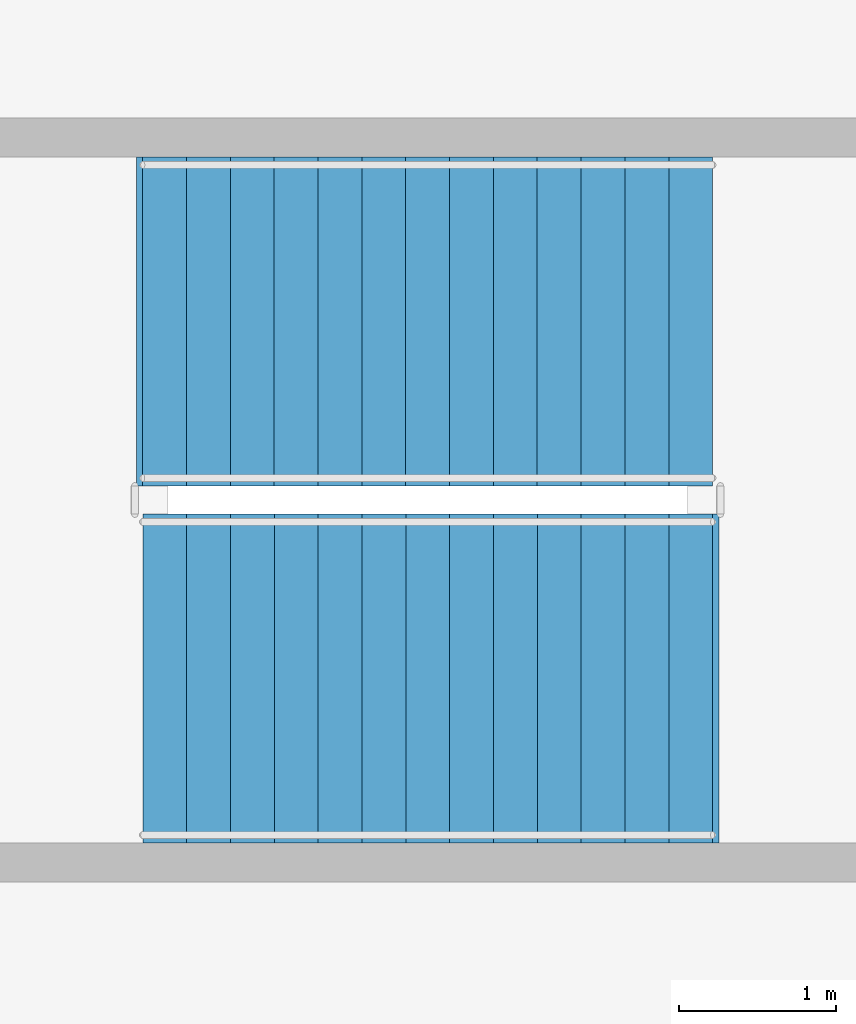
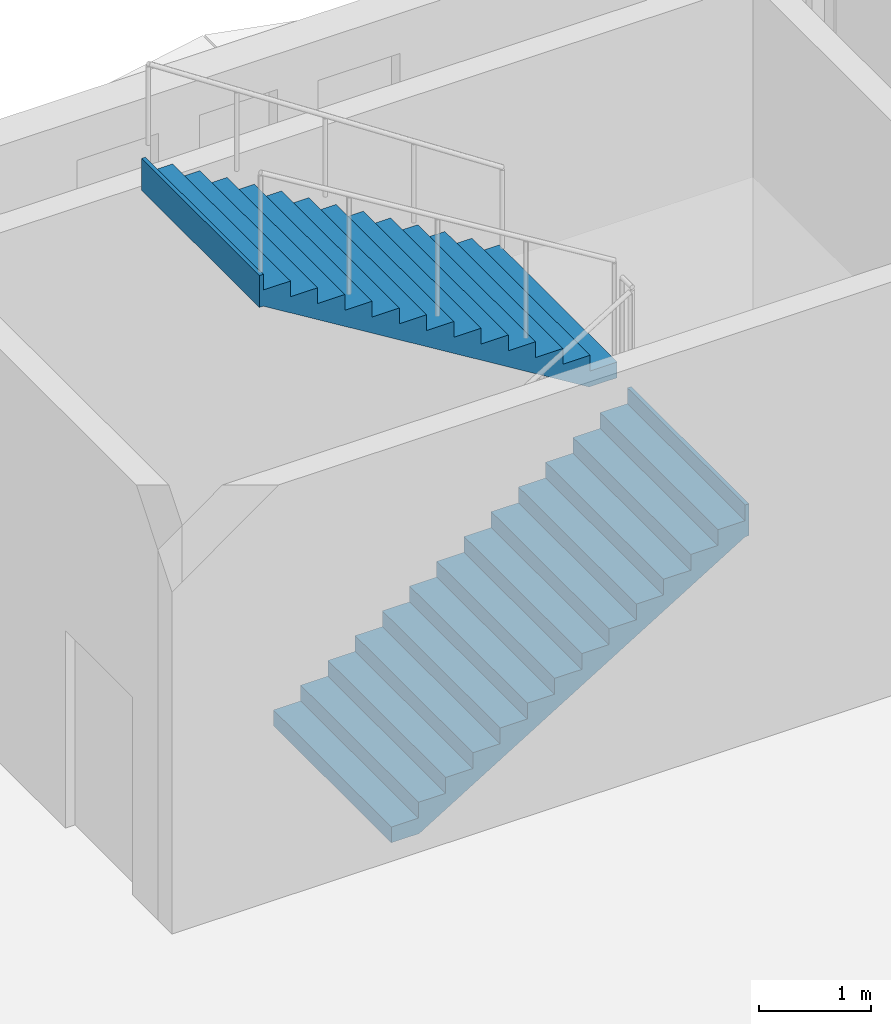
# One storey, part 192 of 220: 2 stair flights, 1 element without a shape of its own.
"""IFC4 building model written with IfcOpenShell, lengths in metres."""

from ifc_helpers import new_model, si_unit, direction, frame, origin, place, context, subcontext, project, spatial, triangles, material, type_object, element, aggregate, save


model = new_model("IFC4")

# Units and contexts
model_context = context("Model", 3, precision=1e-05, world=origin(), true_north=direction((0.0, 1.0)))
body_context = subcontext(model_context, "Body", "Model", "MODEL_VIEW")
ifc_project = project(units=[si_unit("LENGTHUNIT", "METRE"), si_unit("AREAUNIT", "SQUARE_METRE"), si_unit("VOLUMEUNIT", "CUBIC_METRE"), si_unit("PLANEANGLEUNIT", "RADIAN"), si_unit("MASSUNIT", "GRAM", prefix="KILO")], contexts=[model_context])

# Site, building, storey
site_placement = place(None, origin())
site = spatial("IfcSite", under=ifc_project, at=site_placement, CompositionType="ELEMENT")
building_placement = place(site_placement, origin())
building = spatial("IfcBuilding", under=site, at=building_placement, Name="Cendralis Lancet Convention Centre", CompositionType="ELEMENT")
storey_placement = place(building_placement, frame((0.0, 0.0, 5.39990234375)))
storey = spatial("IfcBuildingStorey", under=building, at=storey_placement, Name="L01", CompositionType="ELEMENT", Elevation=5.39990234375)

# Stair, stair flights
ifc_material = material(Name="Concrete G35 (C35/45)", Category="concrete")
stair_type = type_object("IfcStairType", Name="ARC-ST-CORE", PredefinedType="HALF_TURN_STAIR", material=ifc_material)
stair_placement = place(storey_placement, origin())
stair = element("IfcStair", 1, at=stair_placement, inside=storey, type_object=stair_type, Name="L01 Protected Exit Stair ST-06", PredefinedType="HALF_TURN_STAIR")
stair_flight_type = type_object("IfcStairFlightType", Name="ARC-SF-CORE", PredefinedType="STRAIGHT", material=ifc_material)
stair_flight_1_placement = place(storey_placement, frame((200.550048828125, 131.050048828125, 0.0), z_axis=(0.0, 0.0, 1.0), x_axis=(1.0, 0.0, 0.0)))
stair_flight_1 = element("IfcStairFlight", 2, at=stair_flight_1_placement, type_object=stair_flight_type, Name="ST-06 flight 1", NumberOfRisers=14, NumberOfTreads=13, PredefinedType="STRAIGHT", RiserHeight=0.171428571, TreadLength=0.28, context=body_context, shape_type="Tessellation", body=[
    triangles([(0.0, 0.0, 0.085714), (0.0, 1.050049, 0.0), (0.0, -1.050049, 0.0), (0.0, -1.050049, 0.171429), (0.0, 1.050049, 0.171429), (0.14, 0.0, 0.171429), (0.28, -1.050049, 0.171429), (0.28, 1.050049, 0.171429), (0.14, 0.0, 0.0), (0.28, -1.050049, 0.0), (0.28, 1.050049, 0.0), (0.28, 0.0, 0.257143), (0.28, -1.050049, 0.342857), (0.28, 1.050049, 0.342857), (0.283543, 0.0, 0.342857), (0.287085, -1.050049, 0.342857), (0.287085, 1.050049, 0.342857), (0.283543, 0.0, 0.0), (0.287085, -1.050049, 0.0), (0.287085, 1.050049, 0.0), (0.423543, 0.0, 0.342857), (0.56, -1.050049, 0.342857), (0.56, 1.050049, 0.342857), (0.423543, 0.0, 0.083545), (0.56, -1.050049, 0.167091), (0.56, 1.050049, 0.167091), (0.56, 0.0, 0.428572), (0.56, -1.050049, 0.514286), (0.56, 1.050049, 0.514286), (0.7, 0.0, 0.514286), (0.84, -1.050049, 0.514286), (0.84, 1.050049, 0.514286), (0.7, 0.0, 0.252806), (0.84, -1.050049, 0.33852), (0.84, 1.050049, 0.33852), (0.84, 0.0, 0.6), (0.84, -1.050049, 0.685714), (0.84, 1.050049, 0.685714), (0.98, 0.0, 0.685714), (1.12, -1.050049, 0.685714), (1.12, 1.050049, 0.685714), (0.98, 0.0, 0.424234), (1.12, -1.050049, 0.509948), (1.12, 1.050049, 0.509948), (1.12, 0.0, 0.771429), (1.12, -1.050049, 0.857143), (1.12, 1.050049, 0.857143), (1.26, 0.0, 0.857143), (1.4, -1.050049, 0.857143), (1.4, 1.050049, 0.857143), (1.26, 0.0, 0.595662), (1.4, -1.050049, 0.681377), (1.4, 1.050049, 0.681377), (1.4, 0.0, 0.942857), (1.4, -1.050049, 1.028571), (1.4, 1.050049, 1.028571), (1.54, 0.0, 1.028571), (1.68, -1.050049, 1.028571), (1.68, 1.050049, 1.028571), (1.54, 0.0, 0.767091), (1.68, -1.050049, 0.852805), (1.68, 1.050049, 0.852805), (1.68, 0.0, 1.114286), (1.68, -1.050049, 1.2), (1.68, 1.050049, 1.2), (1.82, 0.0, 1.2), (1.96, -1.050049, 1.2), (1.96, 1.050049, 1.2), (1.82, 0.0, 0.938519), (1.96, -1.050049, 1.024234), (1.96, 1.050049, 1.024234), (1.96, 0.0, 1.285715), (1.96, -1.050049, 1.371429), (1.96, 1.050049, 1.371429), (2.1, 0.0, 1.371429), (2.24, -1.050049, 1.371429), (2.24, 1.050049, 1.371429), (2.1, 0.0, 1.109948), (2.24, -1.050049, 1.195662), (2.24, 1.050049, 1.195662), (2.24, 0.0, 1.457143), (2.24, -1.050049, 1.542857), (2.24, 1.050049, 1.542857), (2.38, 0.0, 1.542857), (2.52, -1.050049, 1.542857), (2.52, 1.050049, 1.542857), (2.38, 0.0, 1.281376), (2.52, -1.050049, 1.367091), (2.52, 1.050049, 1.367091), (2.52, 0.0, 1.628572), (2.52, -1.050049, 1.714286), (2.52, 1.050049, 1.714286), (2.66, 0.0, 1.714286), (2.8, -1.050049, 1.714286), (2.8, 1.050049, 1.714286), (2.66, 0.0, 1.452806), (2.8, -1.050049, 1.53852), (2.8, 1.050049, 1.53852), (2.8, 0.0, 1.8), (2.8, -1.050049, 1.885714), (2.8, 1.050049, 1.885714), (2.94, 0.0, 1.885714), (3.08, -1.050049, 1.885714), (3.08, 1.050049, 1.885714), (2.94, 0.0, 1.624234), (3.08, -1.050049, 1.709948), (3.08, 1.050049, 1.709948), (3.08, 0.0, 1.971429), (3.08, -1.050049, 2.057143), (3.08, 1.050049, 2.057143), (3.22, 0.0, 2.057143), (3.36, -1.050049, 2.057143), (3.36, 1.050049, 2.057143), (3.22, 0.0, 1.795663), (3.36, -1.050049, 1.881377), (3.36, 1.050049, 1.881377), (3.36, 0.0, 2.142857), (3.36, -1.050049, 2.228571), (3.36, 1.050049, 2.228571), (3.5, 0.0, 2.228571), (3.64, -1.050049, 2.228571), (3.64, 1.050049, 2.228571), (3.5, 0.0, 1.967091), (3.64, -1.050049, 2.052805), (3.64, 1.050049, 2.052805), (3.64, 0.0, 2.314285), (3.64, -1.050049, 2.4), (3.64, 1.050049, 2.4), (3.66, 0.0, 2.4), (3.68, -1.050049, 2.4), (3.68, 1.050049, 2.4), (3.66, 0.0, 2.052805), (3.68, -1.050049, 2.052805), (3.68, 1.050049, 2.052805), (3.68, 0.0, 2.226403)], [[2, 3, 1], [3, 4, 1], [4, 5, 1], [5, 2, 1], [4, 7, 6], [7, 8, 6], [8, 5, 6], [5, 4, 6], [10, 3, 9], [3, 2, 9], [2, 11, 9], [11, 10, 9], [3, 10, 7], [3, 7, 4], [2, 8, 11], [2, 5, 8], [8, 7, 12], [7, 13, 12], [13, 14, 12], [14, 8, 12], [13, 16, 15], [16, 17, 15], [17, 14, 15], [14, 13, 15], [19, 10, 18], [10, 11, 18], [11, 20, 18], [20, 19, 18], [10, 19, 16], [10, 16, 7], [7, 16, 13], [11, 17, 20], [11, 8, 17], [8, 14, 17], [16, 22, 21], [22, 23, 21], [23, 17, 21], [17, 16, 21], [25, 19, 24], [19, 20, 24], [20, 26, 24], [26, 25, 24], [19, 25, 22], [19, 22, 16], [20, 23, 26], [20, 17, 23], [23, 22, 27], [22, 28, 27], [28, 29, 27], [29, 23, 27], [28, 31, 30], [31, 32, 30], [32, 29, 30], [29, 28, 30], [34, 25, 33], [25, 26, 33], [26, 35, 33], [35, 34, 33], [25, 34, 31], [25, 31, 22], [22, 31, 28], [26, 32, 35], [26, 23, 32], [23, 29, 32], [32, 31, 36], [31, 37, 36], [37, 38, 36], [38, 32, 36], [37, 40, 39], [40, 41, 39], [41, 38, 39], [38, 37, 39], [43, 34, 42], [34, 35, 42], [35, 44, 42], [44, 43, 42], [34, 43, 40], [34, 40, 31], [31, 40, 37], [35, 41, 44], [35, 32, 41], [32, 38, 41], [41, 40, 45], [40, 46, 45], [46, 47, 45], [47, 41, 45], [46, 49, 48], [49, 50, 48], [50, 47, 48], [47, 46, 48], [52, 43, 51], [43, 44, 51], [44, 53, 51], [53, 52, 51], [43, 52, 49], [43, 49, 40], [40, 49, 46], [44, 50, 53], [44, 41, 50], [41, 47, 50], [50, 49, 54], [49, 55, 54], [55, 56, 54], [56, 50, 54], [55, 58, 57], [58, 59, 57], [59, 56, 57], [56, 55, 57], [61, 52, 60], [52, 53, 60], [53, 62, 60], [62, 61, 60], [52, 61, 58], [52, 58, 49], [49, 58, 55], [53, 59, 62], [53, 50, 59], [50, 56, 59], [59, 58, 63], [58, 64, 63], [64, 65, 63], [65, 59, 63], [64, 67, 66], [67, 68, 66], [68, 65, 66], [65, 64, 66], [70, 61, 69], [61, 62, 69], [62, 71, 69], [71, 70, 69], [61, 70, 67], [61, 67, 58], [58, 67, 64], [62, 68, 71], [62, 59, 68], [59, 65, 68], [68, 67, 72], [67, 73, 72], [73, 74, 72], [74, 68, 72], [73, 76, 75], [76, 77, 75], [77, 74, 75], [74, 73, 75], [79, 70, 78], [70, 71, 78], [71, 80, 78], [80, 79, 78], [70, 79, 76], [70, 76, 67], [67, 76, 73], [71, 77, 80], [71, 68, 77], [68, 74, 77], [77, 76, 81], [76, 82, 81], [82, 83, 81], [83, 77, 81], [82, 85, 84], [85, 86, 84], [86, 83, 84], [83, 82, 84], [88, 79, 87], [79, 80, 87], [80, 89, 87], [89, 88, 87], [79, 88, 85], [79, 85, 76], [76, 85, 82], [80, 86, 89], [80, 77, 86], [77, 83, 86], [86, 85, 90], [85, 91, 90], [91, 92, 90], [92, 86, 90], [91, 94, 93], [94, 95, 93], [95, 92, 93], [92, 91, 93], [97, 88, 96], [88, 89, 96], [89, 98, 96], [98, 97, 96], [88, 97, 94], [88, 94, 85], [85, 94, 91], [89, 95, 98], [89, 86, 95], [86, 92, 95], [95, 94, 99], [94, 100, 99], [100, 101, 99], [101, 95, 99], [100, 103, 102], [103, 104, 102], [104, 101, 102], [101, 100, 102], [106, 97, 105], [97, 98, 105], [98, 107, 105], [107, 106, 105], [97, 106, 103], [97, 103, 94], [94, 103, 100], [98, 104, 107], [98, 95, 104], [95, 101, 104], [104, 103, 108], [103, 109, 108], [109, 110, 108], [110, 104, 108], [109, 112, 111], [112, 113, 111], [113, 110, 111], [110, 109, 111], [115, 106, 114], [106, 107, 114], [107, 116, 114], [116, 115, 114], [106, 115, 112], [106, 112, 103], [103, 112, 109], [107, 113, 116], [107, 104, 113], [104, 110, 113], [113, 112, 117], [112, 118, 117], [118, 119, 117], [119, 113, 117], [118, 121, 120], [121, 122, 120], [122, 119, 120], [119, 118, 120], [124, 115, 123], [115, 116, 123], [116, 125, 123], [125, 124, 123], [115, 124, 121], [115, 121, 112], [112, 121, 118], [116, 122, 125], [116, 113, 122], [113, 119, 122], [122, 121, 126], [121, 127, 126], [127, 128, 126], [128, 122, 126], [127, 130, 129], [130, 131, 129], [131, 128, 129], [128, 127, 129], [133, 124, 132], [124, 125, 132], [125, 134, 132], [134, 133, 132], [124, 133, 130], [124, 130, 121], [121, 130, 127], [125, 131, 134], [125, 122, 131], [122, 128, 131], [133, 134, 135], [134, 131, 135], [131, 130, 135], [130, 133, 135]], closed=True),
])
stair_flight_2_placement = place(storey_placement, frame((204.18994140625, 133.330078125, 2.400146484375), z_axis=(0.0, 0.0, 1.0), x_axis=(-1.0, 0.0, 0.0)))
stair_flight_2 = element("IfcStairFlight", 3, at=stair_flight_2_placement, type_object=stair_flight_type, Name="ST-06 flight 2", NumberOfRisers=14, NumberOfTreads=13, PredefinedType="STRAIGHT", RiserHeight=0.171428571, TreadLength=0.28, context=body_context, shape_type="Tessellation", body=[
    triangles([(0.0, 0.0, 0.085714), (0.0, 1.050049, 0.0), (0.0, -1.050049, 0.0), (0.0, -1.050049, 0.171429), (0.0, 1.050049, 0.171429), (0.14, 0.0, 0.171429), (0.28, -1.050049, 0.171429), (0.28, 1.050049, 0.171429), (0.14, 0.0, 0.0), (0.28, -1.050049, 0.0), (0.28, 1.050049, 0.0), (0.28, 0.0, 0.257143), (0.28, -1.050049, 0.342857), (0.28, 1.050049, 0.342857), (0.283543, 0.0, 0.342857), (0.287085, -1.050049, 0.342857), (0.287085, 1.050049, 0.342857), (0.283543, 0.0, 0.0), (0.287085, -1.050049, 0.0), (0.287085, 1.050049, 0.0), (0.423543, 0.0, 0.342857), (0.56, -1.050049, 0.342857), (0.56, 1.050049, 0.342857), (0.423543, 0.0, 0.083545), (0.56, -1.050049, 0.167091), (0.56, 1.050049, 0.167091), (0.56, 0.0, 0.428572), (0.56, -1.050049, 0.514286), (0.56, 1.050049, 0.514286), (0.7, 0.0, 0.514286), (0.84, -1.050049, 0.514286), (0.84, 1.050049, 0.514286), (0.7, 0.0, 0.252806), (0.84, -1.050049, 0.33852), (0.84, 1.050049, 0.33852), (0.84, 0.0, 0.6), (0.84, -1.050049, 0.685714), (0.84, 1.050049, 0.685714), (0.98, 0.0, 0.685714), (1.12, -1.050049, 0.685714), (1.12, 1.050049, 0.685714), (0.98, 0.0, 0.424234), (1.12, -1.050049, 0.509948), (1.12, 1.050049, 0.509948), (1.12, 0.0, 0.771429), (1.12, -1.050049, 0.857143), (1.12, 1.050049, 0.857143), (1.26, 0.0, 0.857143), (1.4, -1.050049, 0.857143), (1.4, 1.050049, 0.857143), (1.26, 0.0, 0.595662), (1.4, -1.050049, 0.681377), (1.4, 1.050049, 0.681377), (1.4, 0.0, 0.942857), (1.4, -1.050049, 1.028571), (1.4, 1.050049, 1.028571), (1.54, 0.0, 1.028571), (1.68, -1.050049, 1.028571), (1.68, 1.050049, 1.028571), (1.54, 0.0, 0.767091), (1.68, -1.050049, 0.852805), (1.68, 1.050049, 0.852805), (1.68, 0.0, 1.114286), (1.68, -1.050049, 1.2), (1.68, 1.050049, 1.2), (1.82, 0.0, 1.2), (1.96, -1.050049, 1.2), (1.96, 1.050049, 1.2), (1.82, 0.0, 0.938519), (1.96, -1.050049, 1.024234), (1.96, 1.050049, 1.024234), (1.96, 0.0, 1.285715), (1.96, -1.050049, 1.371429), (1.96, 1.050049, 1.371429), (2.1, 0.0, 1.371429), (2.24, -1.050049, 1.371429), (2.24, 1.050049, 1.371429), (2.1, 0.0, 1.109948), (2.24, -1.050049, 1.195662), (2.24, 1.050049, 1.195662), (2.24, 0.0, 1.457143), (2.24, -1.050049, 1.542857), (2.24, 1.050049, 1.542857), (2.38, 0.0, 1.542857), (2.52, -1.050049, 1.542857), (2.52, 1.050049, 1.542857), (2.38, 0.0, 1.281376), (2.52, -1.050049, 1.367091), (2.52, 1.050049, 1.367091), (2.52, 0.0, 1.628572), (2.52, -1.050049, 1.714286), (2.52, 1.050049, 1.714286), (2.66, 0.0, 1.714286), (2.8, -1.050049, 1.714286), (2.8, 1.050049, 1.714286), (2.66, 0.0, 1.452806), (2.8, -1.050049, 1.53852), (2.8, 1.050049, 1.53852), (2.8, 0.0, 1.8), (2.8, -1.050049, 1.885714), (2.8, 1.050049, 1.885714), (2.94, 0.0, 1.885714), (3.08, -1.050049, 1.885714), (3.08, 1.050049, 1.885714), (2.94, 0.0, 1.624234), (3.08, -1.050049, 1.709948), (3.08, 1.050049, 1.709948), (3.08, 0.0, 1.971429), (3.08, -1.050049, 2.057143), (3.08, 1.050049, 2.057143), (3.22, 0.0, 2.057143), (3.36, -1.050049, 2.057143), (3.36, 1.050049, 2.057143), (3.22, 0.0, 1.795663), (3.36, -1.050049, 1.881377), (3.36, 1.050049, 1.881377), (3.36, 0.0, 2.142857), (3.36, -1.050049, 2.228571), (3.36, 1.050049, 2.228571), (3.5, 0.0, 2.228571), (3.64, -1.050049, 2.228571), (3.64, 1.050049, 2.228571), (3.5, 0.0, 1.967091), (3.64, -1.050049, 2.052805), (3.64, 1.050049, 2.052805), (3.64, 0.0, 2.314285), (3.64, -1.050049, 2.4), (3.64, 1.050049, 2.4), (3.66, 0.0, 2.4), (3.68, -1.050049, 2.4), (3.68, 1.050049, 2.4), (3.66, 0.0, 2.052805), (3.68, -1.050049, 2.052805), (3.68, 1.050049, 2.052805), (3.68, 0.0, 2.226403)], [[2, 3, 1], [3, 4, 1], [4, 5, 1], [5, 2, 1], [4, 7, 6], [7, 8, 6], [8, 5, 6], [5, 4, 6], [10, 3, 9], [3, 2, 9], [2, 11, 9], [11, 10, 9], [3, 10, 7], [3, 7, 4], [2, 8, 11], [2, 5, 8], [8, 7, 12], [7, 13, 12], [13, 14, 12], [14, 8, 12], [13, 16, 15], [16, 17, 15], [17, 14, 15], [14, 13, 15], [19, 10, 18], [10, 11, 18], [11, 20, 18], [20, 19, 18], [10, 19, 16], [10, 16, 7], [7, 16, 13], [11, 17, 20], [11, 8, 17], [8, 14, 17], [16, 22, 21], [22, 23, 21], [23, 17, 21], [17, 16, 21], [25, 19, 24], [19, 20, 24], [20, 26, 24], [26, 25, 24], [19, 25, 22], [19, 22, 16], [20, 23, 26], [20, 17, 23], [23, 22, 27], [22, 28, 27], [28, 29, 27], [29, 23, 27], [28, 31, 30], [31, 32, 30], [32, 29, 30], [29, 28, 30], [34, 25, 33], [25, 26, 33], [26, 35, 33], [35, 34, 33], [25, 34, 31], [25, 31, 22], [22, 31, 28], [26, 32, 35], [26, 23, 32], [23, 29, 32], [32, 31, 36], [31, 37, 36], [37, 38, 36], [38, 32, 36], [37, 40, 39], [40, 41, 39], [41, 38, 39], [38, 37, 39], [43, 34, 42], [34, 35, 42], [35, 44, 42], [44, 43, 42], [34, 43, 40], [34, 40, 31], [31, 40, 37], [35, 41, 44], [35, 32, 41], [32, 38, 41], [41, 40, 45], [40, 46, 45], [46, 47, 45], [47, 41, 45], [46, 49, 48], [49, 50, 48], [50, 47, 48], [47, 46, 48], [52, 43, 51], [43, 44, 51], [44, 53, 51], [53, 52, 51], [43, 52, 49], [43, 49, 40], [40, 49, 46], [44, 50, 53], [44, 41, 50], [41, 47, 50], [50, 49, 54], [49, 55, 54], [55, 56, 54], [56, 50, 54], [55, 58, 57], [58, 59, 57], [59, 56, 57], [56, 55, 57], [61, 52, 60], [52, 53, 60], [53, 62, 60], [62, 61, 60], [52, 61, 58], [52, 58, 49], [49, 58, 55], [53, 59, 62], [53, 50, 59], [50, 56, 59], [59, 58, 63], [58, 64, 63], [64, 65, 63], [65, 59, 63], [64, 67, 66], [67, 68, 66], [68, 65, 66], [65, 64, 66], [70, 61, 69], [61, 62, 69], [62, 71, 69], [71, 70, 69], [61, 70, 67], [61, 67, 58], [58, 67, 64], [62, 68, 71], [62, 59, 68], [59, 65, 68], [68, 67, 72], [67, 73, 72], [73, 74, 72], [74, 68, 72], [73, 76, 75], [76, 77, 75], [77, 74, 75], [74, 73, 75], [79, 70, 78], [70, 71, 78], [71, 80, 78], [80, 79, 78], [70, 79, 76], [70, 76, 67], [67, 76, 73], [71, 77, 80], [71, 68, 77], [68, 74, 77], [77, 76, 81], [76, 82, 81], [82, 83, 81], [83, 77, 81], [82, 85, 84], [85, 86, 84], [86, 83, 84], [83, 82, 84], [88, 79, 87], [79, 80, 87], [80, 89, 87], [89, 88, 87], [79, 88, 85], [79, 85, 76], [76, 85, 82], [80, 86, 89], [80, 77, 86], [77, 83, 86], [86, 85, 90], [85, 91, 90], [91, 92, 90], [92, 86, 90], [91, 94, 93], [94, 95, 93], [95, 92, 93], [92, 91, 93], [97, 88, 96], [88, 89, 96], [89, 98, 96], [98, 97, 96], [88, 97, 94], [88, 94, 85], [85, 94, 91], [89, 95, 98], [89, 86, 95], [86, 92, 95], [95, 94, 99], [94, 100, 99], [100, 101, 99], [101, 95, 99], [100, 103, 102], [103, 104, 102], [104, 101, 102], [101, 100, 102], [106, 97, 105], [97, 98, 105], [98, 107, 105], [107, 106, 105], [97, 106, 103], [97, 103, 94], [94, 103, 100], [98, 104, 107], [98, 95, 104], [95, 101, 104], [104, 103, 108], [103, 109, 108], [109, 110, 108], [110, 104, 108], [109, 112, 111], [112, 113, 111], [113, 110, 111], [110, 109, 111], [115, 106, 114], [106, 107, 114], [107, 116, 114], [116, 115, 114], [106, 115, 112], [106, 112, 103], [103, 112, 109], [107, 113, 116], [107, 104, 113], [104, 110, 113], [113, 112, 117], [112, 118, 117], [118, 119, 117], [119, 113, 117], [118, 121, 120], [121, 122, 120], [122, 119, 120], [119, 118, 120], [124, 115, 123], [115, 116, 123], [116, 125, 123], [125, 124, 123], [115, 124, 121], [115, 121, 112], [112, 121, 118], [116, 122, 125], [116, 113, 122], [113, 119, 122], [122, 121, 126], [121, 127, 126], [127, 128, 126], [128, 122, 126], [127, 130, 129], [130, 131, 129], [131, 128, 129], [128, 127, 129], [133, 124, 132], [124, 125, 132], [125, 134, 132], [134, 133, 132], [124, 133, 130], [124, 130, 121], [121, 130, 127], [125, 131, 134], [125, 122, 131], [122, 128, 131], [133, 134, 135], [134, 131, 135], [131, 130, 135], [130, 133, 135]], closed=True),
])
aggregate(stair, [stair_flight_1, stair_flight_2])

save(model, "model.ifc")
